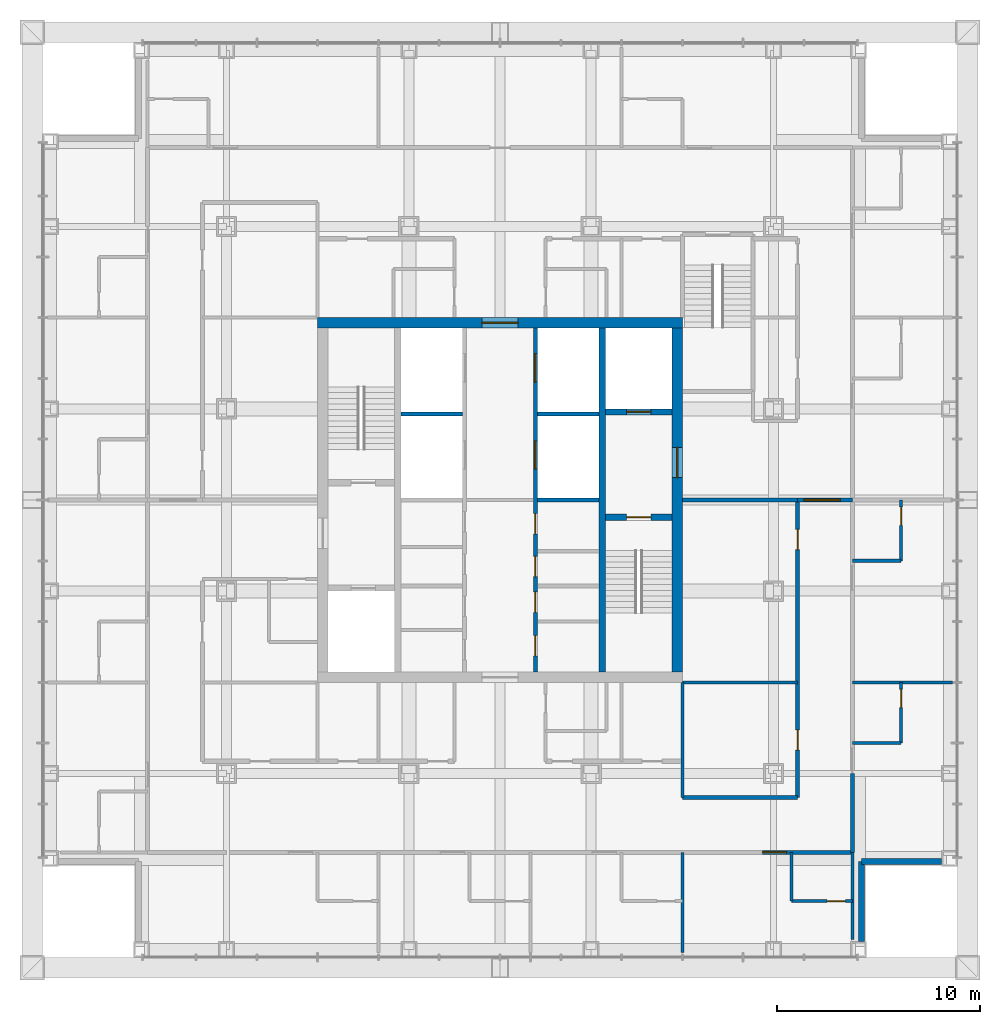
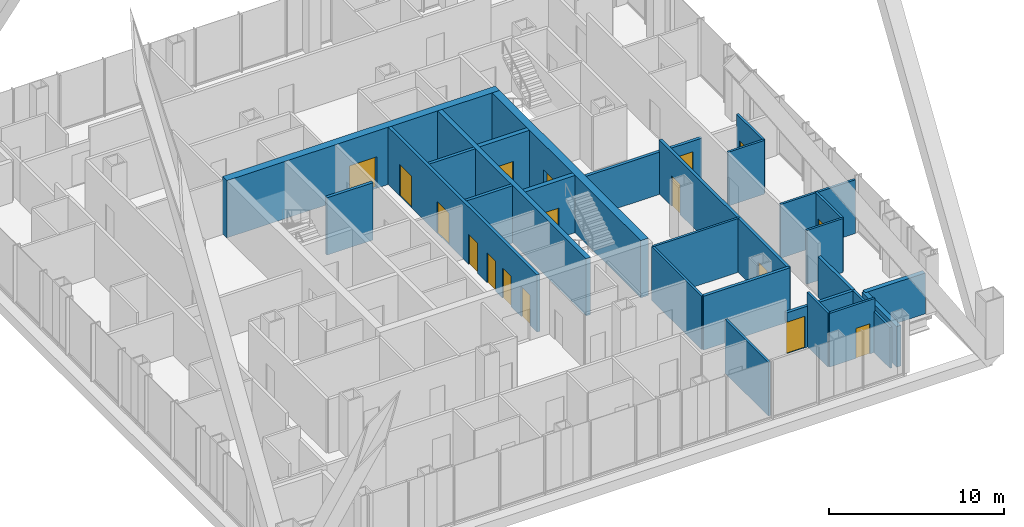
# One storey, part 13 of 16: 28 walls, 17 doors, 17 openings.
"""IFC4 building model written with IfcOpenShell, lengths in metres."""

from ifc_helpers import new_model, si_unit, direction, frame, frame_2d, origin, place, context, subcontext, project, spatial, rectangle, extrude, material, layer, layer_set, type_object, element, fill, save


model = new_model("IFC4")

# Units and contexts
model_context = context("Model", 3, precision=1e-05, world=origin(), true_north=direction((0.0, 1.0)))
body_context = subcontext(model_context, "Body", "Model", "MODEL_VIEW")
ifc_project = project(units=[si_unit("LENGTHUNIT", "METRE"), si_unit("AREAUNIT", "SQUARE_METRE"), si_unit("VOLUMEUNIT", "CUBIC_METRE"), si_unit("PLANEANGLEUNIT", "RADIAN"), si_unit("MASSUNIT", "GRAM", prefix="KILO")], contexts=[model_context])

# Site, building, storey
site_placement = place(None, origin())
site = spatial("IfcSite", under=ifc_project, at=site_placement, CompositionType="ELEMENT")
building_placement = place(site_placement, origin())
building = spatial("IfcBuilding", under=site, at=building_placement, Name="Malebo Sky Hospital", CompositionType="ELEMENT")
storey_placement = place(building_placement, frame((0.0, 0.0, 209.0)))
storey = spatial("IfcBuildingStorey", under=building, at=storey_placement, Name="L50", CompositionType="ELEMENT", Elevation=209.0)

# Wall, openings, doors
ifc_material_1 = material(Name="Concrete C80/95", Category="concrete")
ifc_layer_1 = layer(ifc_material_1, 0.199951171875)
ifc_layer_set_1 = layer_set([ifc_layer_1], Name="CORE INNER WALL 200")
wall_type_1 = type_object("IfcWallType", Name="CORE INNER WALL 200", PredefinedType="SHEAR", material=ifc_layer_set_1)
wall_1_placement = place(storey_placement, frame((61.75, 53.5, 0.0), z_axis=(0.0, 0.0, 1.0), x_axis=(0.0, 1.0, 0.0)))
wall_1 = element("IfcWall", 1, at=wall_1_placement, inside=storey, type_object=wall_type_1, Name="Core wall LE L50", PredefinedType="SHEAR", context=body_context, shape_type="SweptSolid", body=[
    extrude(rectangle(XDim=17.0, YDim=0.199951171875, at=frame_2d((8.5, 0.0))), origin(), (0.0, 0.0, 1.0), 4.0),
])
opening_1_placement = place(wall_1_placement, frame((0.8076171875, 0.0, 0.0)))
opening_1 = element("IfcOpeningElement", 2, at=opening_1_placement, cuts=wall_1, Name="Opening D17", PredefinedType="OPENING", context=body_context, shape_type="SweptSolid", body=[
    extrude(rectangle(XDim=1.0, YDim=2.10009765625, at=frame_2d((0.5, 1.050048828125))), frame((0.0, 0.10986328125, 0.0), z_axis=(0.0, -1.0, 0.0), x_axis=(1.0, 0.0, 0.0)), (0.0, 0.0, 1.0), 0.219970703125),
])
opening_2_placement = place(wall_1_placement, frame((2.95751953125, 0.0, 0.0)))
opening_2 = element("IfcOpeningElement", 3, at=opening_2_placement, cuts=wall_1, Name="Opening D17", PredefinedType="OPENING", context=body_context, shape_type="SweptSolid", body=[
    extrude(rectangle(XDim=1.0, YDim=2.10009765625, at=frame_2d((0.5, 1.050048828125))), frame((0.0, 0.10986328125, 0.0), z_axis=(0.0, -1.0, 0.0), x_axis=(1.0, 0.0, 0.0)), (0.0, 0.0, 1.0), 0.219970703125),
])
opening_3_placement = place(wall_1_placement, frame((4.722412109375, 0.0, 0.0)))
opening_3 = element("IfcOpeningElement", 4, at=opening_3_placement, cuts=wall_1, Name="Opening D17", PredefinedType="OPENING", context=body_context, shape_type="SweptSolid", body=[
    extrude(rectangle(XDim=1.0, YDim=2.10009765625, at=frame_2d((0.5, 1.050048828125))), frame((0.0, 0.10986328125, 0.0), z_axis=(0.0, -1.0, 0.0), x_axis=(1.0, 0.0, 0.0)), (0.0, 0.0, 1.0), 0.219970703125),
])
opening_4_placement = place(wall_1_placement, frame((6.822509765625, 0.0, 0.0)))
opening_4 = element("IfcOpeningElement", 5, at=opening_4_placement, cuts=wall_1, Name="Opening D17", PredefinedType="OPENING", context=body_context, shape_type="SweptSolid", body=[
    extrude(rectangle(XDim=1.0, YDim=2.10009765625, at=frame_2d((0.5, 1.050048828125))), frame((0.0, 0.10986328125, 0.0), z_axis=(0.0, -1.0, 0.0), x_axis=(1.0, 0.0, 0.0)), (0.0, 0.0, 1.0), 0.219970703125),
])
opening_5_placement = place(wall_1_placement, frame((10.02490234375, 0.0, 0.0)))
opening_5 = element("IfcOpeningElement", 6, at=opening_5_placement, cuts=wall_1, Name="Opening LD1", PredefinedType="OPENING", context=body_context, shape_type="SweptSolid", body=[
    extrude(rectangle(XDim=1.39990234375, YDim=2.199951171875, at=frame_2d((0.699951171875, 1.10009765625))), frame((0.0, 0.10986328125, 0.0), z_axis=(0.0, -1.0, 0.0), x_axis=(1.0, 0.0, 0.0)), (0.0, 0.0, 1.0), 0.219970703125),
])
opening_6_placement = place(wall_1_placement, frame((14.324951171875, 0.0, 0.0)))
opening_6 = element("IfcOpeningElement", 7, at=opening_6_placement, cuts=wall_1, Name="Opening LD1", PredefinedType="OPENING", context=body_context, shape_type="SweptSolid", body=[
    extrude(rectangle(XDim=1.39990234375, YDim=2.199951171875, at=frame_2d((0.699951171875, 1.10009765625))), frame((0.0, 0.10986328125, 0.0), z_axis=(0.0, -1.0, 0.0), x_axis=(1.0, 0.0, 0.0)), (0.0, 0.0, 1.0), 0.219970703125),
])
ifc_material_2 = material(Name="Hardwood-faced door leaf in steel frame", Category="steel")
door_type_1 = type_object("IfcDoorType", Name="FIRE DOOR 1000", OperationType="SINGLE_SWING_LEFT", PredefinedType="DOOR", material=ifc_material_2)
door_1_placement = place(opening_1_placement, origin())
door_1 = element("IfcDoor", 8, at=door_1_placement, inside=storey, type_object=door_type_1, Name="Cleaning equipment store door", OperationType="SINGLE_SWING_RIGHT", OverallHeight=2.10009765625, OverallWidth=1.0, PredefinedType="DOOR", context=body_context, shape_type="SweptSolid", body=[
    extrude(rectangle(XDim=1.0, YDim=2.10009765625, at=frame_2d((0.5, 1.050048828125))), frame((0.0, 0.02490234375, 0.0), z_axis=(0.0, -1.0, 0.0), x_axis=(1.0, 0.0, 0.0)), (0.0, 0.0, 1.0), 0.050048828125),
])
fill(opening_1, door_1)
door_2_placement = place(opening_2_placement, origin())
door_2 = element("IfcDoor", 9, at=door_2_placement, inside=storey, type_object=door_type_1, Name="Archive store door", OperationType="SINGLE_SWING_RIGHT", OverallHeight=2.10009765625, OverallWidth=1.0, PredefinedType="DOOR", context=body_context, shape_type="SweptSolid", body=[
    extrude(rectangle(XDim=1.0, YDim=2.10009765625, at=frame_2d((0.5, 1.050048828125))), frame((0.0, 0.02490234375, 0.0), z_axis=(0.0, -1.0, 0.0), x_axis=(1.0, 0.0, 0.0)), (0.0, 0.0, 1.0), 0.050048828125),
])
fill(opening_2, door_2)
door_3_placement = place(opening_3_placement, origin())
door_3 = element("IfcDoor", 10, at=door_3_placement, inside=storey, type_object=door_type_1, Name="General store door", OperationType="SINGLE_SWING_RIGHT", OverallHeight=2.10009765625, OverallWidth=1.0, PredefinedType="DOOR", context=body_context, shape_type="SweptSolid", body=[
    extrude(rectangle(XDim=1.0, YDim=2.10009765625, at=frame_2d((0.5, 1.050048828125))), frame((0.0, 0.02490234375, 0.0), z_axis=(0.0, -1.0, 0.0), x_axis=(1.0, 0.0, 0.0)), (0.0, 0.0, 1.0), 0.050048828125),
])
fill(opening_3, door_3)
door_4_placement = place(opening_4_placement, origin())
door_4 = element("IfcDoor", 11, at=door_4_placement, inside=storey, type_object=door_type_1, Name="Records store door", OperationType="SINGLE_SWING_RIGHT", OverallHeight=2.10009765625, OverallWidth=1.0, PredefinedType="DOOR", context=body_context, shape_type="SweptSolid", body=[
    extrude(rectangle(XDim=1.0, YDim=2.10009765625, at=frame_2d((0.5, 1.050048828125))), frame((0.0, 0.02490234375, 0.0), z_axis=(0.0, -1.0, 0.0), x_axis=(1.0, 0.0, 0.0)), (0.0, 0.0, 1.0), 0.050048828125),
])
fill(opening_4, door_4)
ifc_material_3 = material(Name="Stainless steel sliding landing door", Category="steel")
door_type_2 = type_object("IfcDoorType", Name="LIFT LANDING DOOR 1400", OperationType="SLIDING_TO_LEFT", PredefinedType="DOOR", material=ifc_material_3)
door_5_placement = place(opening_5_placement, origin())
door_5 = element("IfcDoor", 12, at=door_5_placement, inside=storey, type_object=door_type_2, Name="Lift E3 landing door", OperationType="SLIDING_TO_LEFT", OverallHeight=2.199951171875, OverallWidth=1.39990234375, PredefinedType="DOOR", context=body_context, shape_type="SweptSolid", body=[
    extrude(rectangle(XDim=1.39990234375, YDim=2.199951171875, at=frame_2d((0.699951171875, 1.10009765625))), frame((0.0, 0.02490234375, 0.0), z_axis=(0.0, -1.0, 0.0), x_axis=(1.0, 0.0, 0.0)), (0.0, 0.0, 1.0), 0.050048828125),
])
fill(opening_5, door_5)
door_6_placement = place(opening_6_placement, origin())
door_6 = element("IfcDoor", 13, at=door_6_placement, inside=storey, type_object=door_type_2, Name="Lift E4 landing door", OperationType="SLIDING_TO_LEFT", OverallHeight=2.199951171875, OverallWidth=1.39990234375, PredefinedType="DOOR", context=body_context, shape_type="SweptSolid", body=[
    extrude(rectangle(XDim=1.39990234375, YDim=2.199951171875, at=frame_2d((0.699951171875, 1.10009765625))), frame((0.0, 0.02490234375, 0.0), z_axis=(0.0, -1.0, 0.0), x_axis=(1.0, 0.0, 0.0)), (0.0, 0.0, 1.0), 0.050048828125),
])
fill(opening_6, door_6)

# Walls
for number, where, z_axis, x_axis, name in (
    (14, (61.85009765625, 62.0, 0.0), (0.0, 0.0, 1.0), (1.0, 0.0, 0.0), "Core wall SE1 L50"),
    (15, (55.10009765625, 66.25, 0.0), (0.0, 0.0, 1.0), (1.0, 0.0, 0.0), "Core wall SW2 L50"),
    (16, (61.85009765625, 66.25, 0.0), (0.0, 0.0, 1.0), (1.0, 0.0, 0.0), "Core wall SE2 L50"),
):
    element("IfcWall", number, at=place(storey_placement, frame(where, z_axis=z_axis, x_axis=x_axis)), inside=storey, type_object=wall_type_1, Name=name, PredefinedType="SHEAR", context=body_context, shape_type="SweptSolid", body=[
        extrude(rectangle(XDim=3.0498046875, YDim=0.199951171875, at=frame_2d((1.52490234375, 0.0))), origin(), (0.0, 0.0, 1.0), 4.0),
    ])
ifc_layer_2 = layer(ifc_material_1, 0.300048828125)
ifc_layer_set_2 = layer_set([ifc_layer_2], Name="CORE INNER WALL 300")
wall_type_2 = type_object("IfcWallType", Name="CORE INNER WALL 300", PredefinedType="SHEAR", material=ifc_layer_set_2)
wall_2_placement = place(storey_placement, frame((65.050048828125, 53.5, 0.0), z_axis=(0.0, 0.0, 1.0), x_axis=(0.0, 1.0, 0.0)))
element("IfcWall", 17, at=wall_2_placement, inside=storey, type_object=wall_type_2, Name="Core wall XE L50", PredefinedType="SHEAR", context=body_context, shape_type="SweptSolid", body=[
    extrude(rectangle(XDim=17.0, YDim=0.300048828125, at=frame_2d((8.5, 0.0))), origin(), (0.0, 0.0, 1.0), 4.0),
])

# Wall, opening, door
wall_3_placement = place(storey_placement, frame((65.199951171875, 61.14990234375, 0.0), z_axis=(0.0, 0.0, 1.0), x_axis=(1.0, 0.0, 0.0)))
wall_3 = element("IfcWall", 18, at=wall_3_placement, inside=storey, type_object=wall_type_2, Name="Core wall E1 L50", PredefinedType="SHEAR", context=body_context, shape_type="SweptSolid", body=[
    extrude(rectangle(XDim=3.300048828125, YDim=0.300048828125, at=frame_2d((1.64990234375, 0.0))), origin(), (0.0, 0.0, 1.0), 4.0),
])
opening_7_placement = place(wall_3_placement, frame((1.050048828125, 0.0, 0.0)))
opening_7 = element("IfcOpeningElement", 19, at=opening_7_placement, cuts=wall_3, Name="Opening D08", PredefinedType="OPENING", context=body_context, shape_type="SweptSolid", body=[
    extrude(rectangle(XDim=1.199951171875, YDim=2.10009765625, at=frame_2d((0.60009765625, 1.050048828125))), frame((0.0, 0.159912109375, 0.0), z_axis=(0.0, -1.0, 0.0), x_axis=(1.0, 0.0, 0.0)), (0.0, 0.0, 1.0), 0.320068359375),
])
door_type_3 = type_object("IfcDoorType", Name="STAIR DOOR 1200", OperationType="SINGLE_SWING_LEFT", PredefinedType="DOOR", material=ifc_material_2)
door_7_placement = place(opening_7_placement, origin())
door_7 = element("IfcDoor", 20, at=door_7_placement, inside=storey, type_object=door_type_3, Name="Stair S2 door", OperationType="SINGLE_SWING_LEFT", OverallHeight=2.10009765625, OverallWidth=1.199951171875, PredefinedType="DOOR", context=body_context, shape_type="SweptSolid", body=[
    extrude(rectangle(XDim=1.199951171875, YDim=2.10009765625, at=frame_2d((0.60009765625, 1.050048828125))), frame((0.0, 0.02490234375, 0.0), z_axis=(0.0, -1.0, 0.0), x_axis=(1.0, 0.0, 0.0)), (0.0, 0.0, 1.0), 0.050048828125),
])
fill(opening_7, door_7)

wall_4_placement = place(storey_placement, frame((65.199951171875, 66.35009765625, 0.0), z_axis=(0.0, 0.0, 1.0), x_axis=(1.0, 0.0, 0.0)))
wall_4 = element("IfcWall", 21, at=wall_4_placement, inside=storey, type_object=wall_type_2, Name="Core wall E2 L50", PredefinedType="SHEAR", context=body_context, shape_type="SweptSolid", body=[
    extrude(rectangle(XDim=3.300048828125, YDim=0.300048828125, at=frame_2d((1.64990234375, 0.0))), origin(), (0.0, 0.0, 1.0), 4.0),
])
opening_8_placement = place(wall_4_placement, frame((1.050048828125, 0.0, 0.0)))
opening_8 = element("IfcOpeningElement", 22, at=opening_8_placement, cuts=wall_4, Name="Opening LD2", PredefinedType="OPENING", context=body_context, shape_type="SweptSolid", body=[
    extrude(rectangle(XDim=1.199951171875, YDim=2.199951171875, at=frame_2d((0.60009765625, 1.10009765625))), frame((0.0, 0.159912109375, 0.0), z_axis=(0.0, -1.0, 0.0), x_axis=(1.0, 0.0, 0.0)), (0.0, 0.0, 1.0), 0.320068359375),
])
door_type_4 = type_object("IfcDoorType", Name="FIRE-FIGHTING LIFT LANDING DOOR 1200", OperationType="SLIDING_TO_LEFT", PredefinedType="DOOR", material=ifc_material_3)
door_8_placement = place(opening_8_placement, origin())
door_8 = element("IfcDoor", 23, at=door_8_placement, inside=storey, type_object=door_type_4, Name="Lift FL2 landing door", OperationType="SLIDING_TO_LEFT", OverallHeight=2.199951171875, OverallWidth=1.199951171875, PredefinedType="DOOR", context=body_context, shape_type="SweptSolid", body=[
    extrude(rectangle(XDim=1.199951171875, YDim=2.199951171875, at=frame_2d((0.60009765625, 1.10009765625))), frame((0.0, 0.02490234375, 0.0), z_axis=(0.0, -1.0, 0.0), x_axis=(1.0, 0.0, 0.0)), (0.0, 0.0, 1.0), 0.050048828125),
])
fill(opening_8, door_8)

ifc_layer_3 = layer(ifc_material_1, 0.5)
ifc_layer_set_3 = layer_set([ifc_layer_3], Name="CORE WALL 500")
wall_type_3 = type_object("IfcWallType", Name="CORE WALL 500", PredefinedType="SHEAR", material=ifc_layer_set_3)
wall_5_placement = place(storey_placement, frame((51.0, 70.75, 0.0), z_axis=(0.0, 0.0, 1.0), x_axis=(1.0, 0.0, 0.0)))
wall_5 = element("IfcWall", 24, at=wall_5_placement, inside=storey, type_object=wall_type_3, Name="Core wall N L50", PredefinedType="SHEAR", context=body_context, shape_type="SweptSolid", body=[
    extrude(rectangle(XDim=18.0, YDim=0.5, at=frame_2d((9.0, 0.0))), origin(), (0.0, 0.0, 1.0), 4.0),
])
opening_9_placement = place(wall_5_placement, frame((8.10009765625, 0.0, 0.0)))
opening_9 = element("IfcOpeningElement", 25, at=opening_9_placement, cuts=wall_5, Name="Opening D06", PredefinedType="OPENING", context=body_context, shape_type="SweptSolid", body=[
    extrude(rectangle(XDim=1.800048828125, YDim=2.199951171875, at=frame_2d((0.89990234375, 1.10009765625))), frame((0.0, 0.260009765625, 0.0), z_axis=(0.0, -1.0, 0.0), x_axis=(1.0, 0.0, 0.0)), (0.0, 0.0, 1.0), 0.52001953125),
])
door_type_5 = type_object("IfcDoorType", Name="LOBBY DOOR PAIR 1800", OperationType="DOUBLE_DOOR_SINGLE_SWING", PredefinedType="DOOR", material=ifc_material_2)
door_9_placement = place(opening_9_placement, origin())
door_9 = element("IfcDoor", 26, at=door_9_placement, inside=storey, type_object=door_type_5, Name="Lift lobby door north", OperationType="DOUBLE_DOOR_SINGLE_SWING", OverallHeight=2.199951171875, OverallWidth=1.800048828125, PredefinedType="DOOR", context=body_context, shape_type="SweptSolid", body=[
    extrude(rectangle(XDim=1.800048828125, YDim=2.199951171875, at=frame_2d((0.89990234375, 1.10009765625))), frame((0.0, 0.02490234375, 0.0), z_axis=(0.0, -1.0, 0.0), x_axis=(1.0, 0.0, 0.0)), (0.0, 0.0, 1.0), 0.050048828125),
])
fill(opening_9, door_9)

wall_6_placement = place(storey_placement, frame((68.75, 53.5, 0.0), z_axis=(0.0, 0.0, 1.0), x_axis=(0.0, 1.0, 0.0)))
wall_6 = element("IfcWall", 27, at=wall_6_placement, inside=storey, type_object=wall_type_3, Name="Core wall E L50", PredefinedType="SHEAR", context=body_context, shape_type="SweptSolid", body=[
    extrude(rectangle(XDim=17.0, YDim=0.5, at=frame_2d((8.5, 0.0))), origin(), (0.0, 0.0, 1.0), 4.0),
])
opening_10_placement = place(wall_6_placement, frame((9.60009765625, 0.0, 0.0)))
opening_10 = element("IfcOpeningElement", 28, at=opening_10_placement, cuts=wall_6, Name="Opening D07", PredefinedType="OPENING", context=body_context, shape_type="SweptSolid", body=[
    extrude(rectangle(XDim=1.5, YDim=2.199951171875, at=frame_2d((0.75, 1.10009765625))), frame((0.0, 0.260009765625, 0.0), z_axis=(0.0, -1.0, 0.0), x_axis=(1.0, 0.0, 0.0)), (0.0, 0.0, 1.0), 0.52001953125),
])
door_type_6 = type_object("IfcDoorType", Name="FIRE-FIGHTING LOBBY DOOR PAIR 1500", OperationType="DOUBLE_DOOR_SINGLE_SWING", PredefinedType="DOOR", material=ifc_material_2)
door_10_placement = place(opening_10_placement, origin())
door_10 = element("IfcDoor", 29, at=door_10_placement, inside=storey, type_object=door_type_6, Name="Fire-fighting lobby door east", OperationType="DOUBLE_DOOR_SINGLE_SWING", OverallHeight=2.199951171875, OverallWidth=1.5, PredefinedType="DOOR", context=body_context, shape_type="SweptSolid", body=[
    extrude(rectangle(XDim=1.5, YDim=2.199951171875, at=frame_2d((0.75, 1.10009765625))), frame((0.0, 0.02490234375, 0.0), z_axis=(0.0, -1.0, 0.0), x_axis=(1.0, 0.0, 0.0)), (0.0, 0.0, 1.0), 0.050048828125),
])
fill(opening_10, door_10)

ifc_material_4 = material(Name="Gypsum board on steel studs", Category="steel")
ifc_layer_4 = layer(ifc_material_4, 0.199951171875)
ifc_layer_set_4 = layer_set([ifc_layer_4], Name="CORRIDOR WALL 200")
wall_type_4 = type_object("IfcWallType", Name="CORRIDOR WALL 200", PredefinedType="PARTITIONING", material=ifc_layer_set_4)
wall_7_placement = place(storey_placement, frame((77.39990234375, 44.60009765625, 0.0), z_axis=(0.0, 0.0, 1.0), x_axis=(-1.0, 0.0, 0.0)))
wall_7 = element("IfcWall", 30, at=wall_7_placement, inside=storey, type_object=wall_type_4, Name="Corridor Wall 200 SCO", PredefinedType="PARTITIONING", context=body_context, shape_type="SweptSolid", body=[
    extrude(rectangle(XDim=4.449951171875, YDim=0.199951171875, at=frame_2d((2.22509765625, 0.0))), origin(), (0.0, 0.0, 1.0), 2.85009765625),
])
opening_11_placement = place(wall_7_placement, frame((3.25, 0.0, 0.0)))
opening_11 = element("IfcOpeningElement", 31, at=opening_11_placement, cuts=wall_7, Name="Opening D01", PredefinedType="OPENING", context=body_context, shape_type="SweptSolid", body=[
    extrude(rectangle(XDim=1.199951171875, YDim=2.199951171875, at=frame_2d((0.60009765625, 1.10009765625))), frame((0.0, 0.10986328125, 0.0), z_axis=(0.0, -1.0, 0.0), x_axis=(1.0, 0.0, 0.0)), (0.0, 0.0, 1.0), 0.219970703125),
])
door_type_7 = type_object("IfcDoorType", Name="BED DOOR 1200", OperationType="SINGLE_SWING_LEFT", PredefinedType="DOOR", material=ifc_material_2)
door_11_placement = place(opening_11_placement, origin())
door_11 = element("IfcDoor", 32, at=door_11_placement, inside=storey, type_object=door_type_7, Name="Birthing room door", OperationType="SINGLE_SWING_LEFT", OverallHeight=2.199951171875, OverallWidth=1.199951171875, PredefinedType="DOOR", context=body_context, shape_type="SweptSolid", body=[
    extrude(rectangle(XDim=1.199951171875, YDim=2.199951171875, at=frame_2d((0.60009765625, 1.10009765625))), frame((0.0, 0.02490234375, 0.0), z_axis=(0.0, -1.0, 0.0), x_axis=(1.0, 0.0, 0.0)), (0.0, 0.0, 1.0), 0.050048828125),
])
fill(opening_11, door_11)

# Walls
wall_8_placement = place(storey_placement, frame((74.699951171875, 47.300048828125, 0.0), z_axis=(0.0, 0.0, 1.0), x_axis=(-1.0, 0.0, 0.0)))
element("IfcWall", 33, at=wall_8_placement, inside=storey, type_object=wall_type_4, Name="Corridor Wall 200 SCIK", PredefinedType="PARTITIONING", context=body_context, shape_type="SweptSolid", body=[
    extrude(rectangle(XDim=5.699951171875, YDim=0.199951171875, at=frame_2d((2.85009765625, 0.0))), origin(), (0.0, 0.0, 1.0), 3.75),
])
wall_9_placement = place(storey_placement, frame((77.39990234375, 48.5, 0.0), z_axis=(0.0, 0.0, 1.0), x_axis=(0.0, -1.0, 0.0)))
element("IfcWall", 34, at=wall_9_placement, inside=storey, type_object=wall_type_4, Name="Corridor Wall 200 ECO", PredefinedType="PARTITIONING", context=body_context, shape_type="SweptSolid", body=[
    extrude(rectangle(XDim=3.89990234375, YDim=0.199951171875, at=frame_2d((1.949951171875, 0.0))), origin(), (0.0, 0.0, 1.0), 2.85009765625),
])

# Wall, openings, doors
wall_10_placement = place(storey_placement, frame((74.699951171875, 62.0, 0.0), z_axis=(0.0, 0.0, 1.0), x_axis=(0.0, -1.0, 0.0)))
wall_10 = element("IfcWall", 35, at=wall_10_placement, inside=storey, type_object=wall_type_4, Name="Corridor Wall 200 ECI2", PredefinedType="PARTITIONING", context=body_context, shape_type="SweptSolid", body=[
    extrude(rectangle(XDim=14.699951171875, YDim=0.199951171875, at=frame_2d((7.35009765625, 0.0))), origin(), (0.0, 0.0, 1.0), 3.75),
])
opening_12_placement = place(wall_10_placement, frame((1.449951171875, 0.0, 0.0)))
opening_12 = element("IfcOpeningElement", 36, at=opening_12_placement, cuts=wall_10, Name="Opening D03", PredefinedType="OPENING", context=body_context, shape_type="SweptSolid", body=[
    extrude(rectangle(XDim=1.0, YDim=2.10009765625, at=frame_2d((0.5, 1.050048828125))), frame((0.0, 0.10986328125, 0.0), z_axis=(0.0, -1.0, 0.0), x_axis=(1.0, 0.0, 0.0)), (0.0, 0.0, 1.0), 0.219970703125),
])
opening_13_placement = place(wall_10_placement, frame((11.35009765625, 0.0, 0.0)))
opening_13 = element("IfcOpeningElement", 37, at=opening_13_placement, cuts=wall_10, Name="Opening D03", PredefinedType="OPENING", context=body_context, shape_type="SweptSolid", body=[
    extrude(rectangle(XDim=1.0, YDim=2.10009765625, at=frame_2d((0.5, 1.050048828125))), frame((0.0, 0.10986328125, 0.0), z_axis=(0.0, -1.0, 0.0), x_axis=(1.0, 0.0, 0.0)), (0.0, 0.0, 1.0), 0.219970703125),
])
door_type_8 = type_object("IfcDoorType", Name="ROOM DOOR 1000", OperationType="SINGLE_SWING_LEFT", PredefinedType="DOOR", material=ifc_material_2)
door_12_placement = place(opening_12_placement, origin())
door_12 = element("IfcDoor", 38, at=door_12_placement, inside=storey, type_object=door_type_8, Name="Staff rest room door", OperationType="SINGLE_SWING_LEFT", OverallHeight=2.10009765625, OverallWidth=1.0, PredefinedType="DOOR", context=body_context, shape_type="SweptSolid", body=[
    extrude(rectangle(XDim=1.0, YDim=2.10009765625, at=frame_2d((0.5, 1.050048828125))), frame((0.0, 0.02490234375, 0.0), z_axis=(0.0, -1.0, 0.0), x_axis=(1.0, 0.0, 0.0)), (0.0, 0.0, 1.0), 0.050048828125),
])
fill(opening_12, door_12)
door_13_placement = place(opening_13_placement, origin())
door_13 = element("IfcDoor", 39, at=door_13_placement, inside=storey, type_object=door_type_8, Name="Staff base door", OperationType="SINGLE_SWING_RIGHT", OverallHeight=2.10009765625, OverallWidth=1.0, PredefinedType="DOOR", context=body_context, shape_type="SweptSolid", body=[
    extrude(rectangle(XDim=1.0, YDim=2.10009765625, at=frame_2d((0.5, 1.050048828125))), frame((0.0, 0.02490234375, 0.0), z_axis=(0.0, -1.0, 0.0), x_axis=(1.0, 0.0, 0.0)), (0.0, 0.0, 1.0), 0.050048828125),
])
fill(opening_13, door_13)

# Walls
ifc_material_5 = material(Name="Anodised aluminium rainscreen on steel framing", Category="steel")
ifc_layer_5 = layer(ifc_material_5, 0.300048828125)
ifc_layer_set_5 = layer_set([ifc_layer_5], Name="NOTCH RAINSCREEN WALL 300")
wall_type_5 = type_object("IfcWallType", Name="NOTCH RAINSCREEN WALL 300", PredefinedType="ELEMENTEDWALL", material=ifc_layer_set_5)
for number, where, z_axis, x_axis, name in (
    (40, (81.800048828125, 44.14990234375, 0.0), (0.0, 0.0, 1.0), (-1.0, 0.0, 0.0), "Notch rainscreen wall E1 L50"),
    (41, (77.85009765625, 44.14990234375, 0.0), (0.0, 0.0, 1.0), (0.0, -1.0, 0.0), "Notch rainscreen wall E2 L50"),
):
    element("IfcWall", number, at=place(storey_placement, frame(where, z_axis=z_axis, x_axis=x_axis)), inside=storey, type_object=wall_type_5, Name=name, PredefinedType="ELEMENTEDWALL", context=body_context, shape_type="SweptSolid", body=[
        extrude(rectangle(XDim=3.949951171875, YDim=0.300048828125, at=frame_2d((1.97509765625, 0.0))), origin(), (0.0, 0.0, 1.0), 2.85009765625),
    ])
ifc_layer_6 = layer(ifc_material_4, 0.14990234375)
ifc_layer_set_6 = layer_set([ifc_layer_6], Name="PARTITION 150")
wall_type_6 = type_object("IfcWallType", Name="PARTITION 150", PredefinedType="PARTITIONING", material=ifc_layer_set_6)
wall_11_placement = place(storey_placement, frame((69.0, 44.60009765625, 0.0), z_axis=(0.0, 0.0, 1.0), x_axis=(0.0, -1.0, 0.0)))
element("IfcWall", 42, at=wall_11_placement, inside=storey, type_object=wall_type_6, Name="Partition 150 SP-9.0", PredefinedType="PARTITIONING", context=body_context, shape_type="SweptSolid", body=[
    extrude(rectangle(XDim=4.9501953125, YDim=0.14990234375, at=frame_2d((2.47509765625, 0.0))), origin(), (0.0, 0.0, 1.0), 3.75),
])
wall_12_placement = place(storey_placement, frame((77.39990234375, 44.60009765625, 0.0), z_axis=(0.0, 0.0, 1.0), x_axis=(0.0, -1.0, 0.0)))
element("IfcWall", 43, at=wall_12_placement, inside=storey, type_object=wall_type_6, Name="Partition 150 SP0", PredefinedType="PARTITIONING", context=body_context, shape_type="SweptSolid", body=[
    extrude(rectangle(XDim=4.300048828125, YDim=0.14990234375, at=frame_2d((2.14990234375, 0.0))), origin(), (0.0, 0.0, 1.0), 2.85009765625),
])

# Wall, opening, door
wall_13_placement = place(storey_placement, frame((77.39990234375, 42.199951171875, 0.0), z_axis=(0.0, 0.0, 1.0), x_axis=(-1.0, 0.0, 0.0)))
wall_13 = element("IfcWall", 44, at=wall_13_placement, inside=storey, type_object=wall_type_6, Name="Partition 150 SE0F", PredefinedType="PARTITIONING", context=body_context, shape_type="SweptSolid", body=[
    extrude(rectangle(XDim=3.0, YDim=0.14990234375, at=frame_2d((1.5, 0.0))), origin(), (0.0, 0.0, 1.0), 3.75),
])
opening_14_placement = place(wall_13_placement, frame((0.35009765625, 0.0, 0.0)))
opening_14 = element("IfcOpeningElement", 45, at=opening_14_placement, cuts=wall_13, Name="Opening D02", PredefinedType="OPENING", context=body_context, shape_type="SweptSolid", body=[
    extrude(rectangle(XDim=0.89990234375, YDim=2.10009765625, at=frame_2d((0.449951171875, 1.050048828125))), frame((0.0, 0.0849609375, 0.0), z_axis=(0.0, -1.0, 0.0), x_axis=(1.0, 0.0, 0.0)), (0.0, 0.0, 1.0), 0.169921875),
])
door_type_9 = type_object("IfcDoorType", Name="EN-SUITE DOOR 900", OperationType="SINGLE_SWING_LEFT", PredefinedType="DOOR", material=ifc_material_2)
door_14_placement = place(opening_14_placement, origin())
door_14 = element("IfcDoor", 46, at=door_14_placement, inside=storey, type_object=door_type_9, Name="En-suite door", OperationType="SINGLE_SWING_LEFT", OverallHeight=2.10009765625, OverallWidth=0.89990234375, PredefinedType="DOOR", context=body_context, shape_type="SweptSolid", body=[
    extrude(rectangle(XDim=0.89990234375, YDim=2.10009765625, at=frame_2d((0.449951171875, 1.050048828125))), frame((0.0, 0.02490234375, 0.0), z_axis=(0.0, -1.0, 0.0), x_axis=(1.0, 0.0, 0.0)), (0.0, 0.0, 1.0), 0.050048828125),
])
fill(opening_14, door_14)

# Walls
wall_14_placement = place(storey_placement, frame((74.39990234375, 44.60009765625, 0.0), z_axis=(0.0, 0.0, 1.0), x_axis=(0.0, -1.0, 0.0)))
element("IfcWall", 47, at=wall_14_placement, inside=storey, type_object=wall_type_6, Name="Partition 150 SE0S", PredefinedType="PARTITIONING", context=body_context, shape_type="SweptSolid", body=[
    extrude(rectangle(XDim=2.400146484375, YDim=0.14990234375, at=frame_2d((1.2001953125, 0.0))), origin(), (0.0, 0.0, 1.0), 3.75),
])
wall_15_placement = place(storey_placement, frame((69.0, 53.0, 0.0), z_axis=(0.0, 0.0, 1.0), x_axis=(0.0, -1.0, 0.0)))
element("IfcWall", 48, at=wall_15_placement, inside=storey, type_object=wall_type_6, Name="Partition 150 SSP0", PredefinedType="PARTITIONING", context=body_context, shape_type="SweptSolid", body=[
    extrude(rectangle(XDim=5.699951171875, YDim=0.14990234375, at=frame_2d((2.85009765625, 0.0))), origin(), (0.0, 0.0, 1.0), 3.75),
])
wall_16_placement = place(storey_placement, frame((77.39990234375, 53.0, 0.0), z_axis=(0.0, 0.0, 1.0), x_axis=(1.0, 0.0, 0.0)))
element("IfcWall", 49, at=wall_16_placement, inside=storey, type_object=wall_type_6, Name="Partition 150 EP+9.0", PredefinedType="PARTITIONING", context=body_context, shape_type="SweptSolid", body=[
    extrude(rectangle(XDim=4.9501953125, YDim=0.14990234375, at=frame_2d((2.47509765625, 0.0))), origin(), (0.0, 0.0, 1.0), 3.75),
])

# Wall, opening, door
wall_17_placement = place(storey_placement, frame((79.800048828125, 62.0, 0.0), z_axis=(0.0, 0.0, 1.0), x_axis=(0.0, -1.0, 0.0)))
wall_17 = element("IfcWall", 50, at=wall_17_placement, inside=storey, type_object=wall_type_6, Name="Partition 150 EE2F", PredefinedType="PARTITIONING", context=body_context, shape_type="SweptSolid", body=[
    extrude(rectangle(XDim=3.0, YDim=0.14990234375, at=frame_2d((1.5, 0.0))), origin(), (0.0, 0.0, 1.0), 3.75),
])
opening_15_placement = place(wall_17_placement, frame((0.35009765625, 0.0, 0.0)))
opening_15 = element("IfcOpeningElement", 51, at=opening_15_placement, cuts=wall_17, Name="Opening D02", PredefinedType="OPENING", context=body_context, shape_type="SweptSolid", body=[
    extrude(rectangle(XDim=0.89990234375, YDim=2.10009765625, at=frame_2d((0.449951171875, 1.050048828125))), frame((0.0, 0.0849609375, 0.0), z_axis=(0.0, -1.0, 0.0), x_axis=(1.0, 0.0, 0.0)), (0.0, 0.0, 1.0), 0.169921875),
])
door_15_placement = place(opening_15_placement, origin())
door_15 = element("IfcDoor", 52, at=door_15_placement, inside=storey, type_object=door_type_9, Name="En-suite door", OperationType="SINGLE_SWING_LEFT", OverallHeight=2.10009765625, OverallWidth=0.89990234375, PredefinedType="DOOR", context=body_context, shape_type="SweptSolid", body=[
    extrude(rectangle(XDim=0.89990234375, YDim=2.10009765625, at=frame_2d((0.449951171875, 1.050048828125))), frame((0.0, 0.02490234375, 0.0), z_axis=(0.0, -1.0, 0.0), x_axis=(1.0, 0.0, 0.0)), (0.0, 0.0, 1.0), 0.050048828125),
])
fill(opening_15, door_15)

# Wall
wall_18_placement = place(storey_placement, frame((77.39990234375, 59.0, 0.0), z_axis=(0.0, 0.0, 1.0), x_axis=(1.0, 0.0, 0.0)))
element("IfcWall", 53, at=wall_18_placement, inside=storey, type_object=wall_type_6, Name="Partition 150 EE2S", PredefinedType="PARTITIONING", context=body_context, shape_type="SweptSolid", body=[
    extrude(rectangle(XDim=2.400146484375, YDim=0.14990234375, at=frame_2d((1.2001953125, 0.0))), origin(), (0.0, 0.0, 1.0), 3.75),
])

# Wall, opening, door
wall_19_placement = place(storey_placement, frame((79.800048828125, 53.0, 0.0), z_axis=(0.0, 0.0, 1.0), x_axis=(0.0, -1.0, 0.0)))
wall_19 = element("IfcWall", 54, at=wall_19_placement, inside=storey, type_object=wall_type_6, Name="Partition 150 EE3F", PredefinedType="PARTITIONING", context=body_context, shape_type="SweptSolid", body=[
    extrude(rectangle(XDim=3.0, YDim=0.14990234375, at=frame_2d((1.5, 0.0))), origin(), (0.0, 0.0, 1.0), 3.75),
])
opening_16_placement = place(wall_19_placement, frame((0.35009765625, 0.0, 0.0)))
opening_16 = element("IfcOpeningElement", 55, at=opening_16_placement, cuts=wall_19, Name="Opening D02", PredefinedType="OPENING", context=body_context, shape_type="SweptSolid", body=[
    extrude(rectangle(XDim=0.89990234375, YDim=2.10009765625, at=frame_2d((0.449951171875, 1.050048828125))), frame((0.0, 0.0849609375, 0.0), z_axis=(0.0, -1.0, 0.0), x_axis=(1.0, 0.0, 0.0)), (0.0, 0.0, 1.0), 0.169921875),
])
door_16_placement = place(opening_16_placement, origin())
door_16 = element("IfcDoor", 56, at=door_16_placement, inside=storey, type_object=door_type_9, Name="En-suite door", OperationType="SINGLE_SWING_LEFT", OverallHeight=2.10009765625, OverallWidth=0.89990234375, PredefinedType="DOOR", context=body_context, shape_type="SweptSolid", body=[
    extrude(rectangle(XDim=0.89990234375, YDim=2.10009765625, at=frame_2d((0.449951171875, 1.050048828125))), frame((0.0, 0.02490234375, 0.0), z_axis=(0.0, -1.0, 0.0), x_axis=(1.0, 0.0, 0.0)), (0.0, 0.0, 1.0), 0.050048828125),
])
fill(opening_16, door_16)

# Walls
wall_20_placement = place(storey_placement, frame((77.39990234375, 50.0, 0.0), z_axis=(0.0, 0.0, 1.0), x_axis=(1.0, 0.0, 0.0)))
element("IfcWall", 57, at=wall_20_placement, inside=storey, type_object=wall_type_6, Name="Partition 150 EE3S", PredefinedType="PARTITIONING", context=body_context, shape_type="SweptSolid", body=[
    extrude(rectangle(XDim=2.400146484375, YDim=0.14990234375, at=frame_2d((1.2001953125, 0.0))), origin(), (0.0, 0.0, 1.0), 3.75),
])
wall_21_placement = place(storey_placement, frame((69.0, 53.0, 0.0), z_axis=(0.0, 0.0, 1.0), x_axis=(1.0, 0.0, 0.0)))
element("IfcWall", 58, at=wall_21_placement, inside=storey, type_object=wall_type_6, Name="Partition 150 ESP+9.0", PredefinedType="PARTITIONING", context=body_context, shape_type="SweptSolid", body=[
    extrude(rectangle(XDim=5.699951171875, YDim=0.14990234375, at=frame_2d((2.85009765625, 0.0))), origin(), (0.0, 0.0, 1.0), 3.75),
])
ifc_material_6 = material(Name="Concrete blockwork", Category="masonry")
ifc_layer_7 = layer(ifc_material_6, 0.199951171875)
ifc_layer_set_7 = layer_set([ifc_layer_7], Name="SMOKE BARRIER WALL 200")
wall_type_7 = type_object("IfcWallType", Name="SMOKE BARRIER WALL 200", PredefinedType="SOLIDWALL", material=ifc_layer_set_7)
wall_22_placement = place(storey_placement, frame((69.0, 62.0, 0.0), z_axis=(0.0, 0.0, 1.0), x_axis=(1.0, 0.0, 0.0)))
element("IfcWall", 59, at=wall_22_placement, inside=storey, type_object=wall_type_7, Name="Smoke Barrier Wall 200 ESPB", PredefinedType="SOLIDWALL", context=body_context, shape_type="SweptSolid", body=[
    extrude(rectangle(XDim=5.699951171875, YDim=0.199951171875, at=frame_2d((2.85009765625, 0.0))), origin(), (0.0, 0.0, 1.0), 2.949951171875),
])

# Wall, opening, door
wall_23_placement = place(storey_placement, frame((74.699951171875, 62.0, 0.0), z_axis=(0.0, 0.0, 1.0), x_axis=(1.0, 0.0, 0.0)))
wall_23 = element("IfcWall", 60, at=wall_23_placement, inside=storey, type_object=wall_type_7, Name="Smoke Barrier Wall 200 ESB", PredefinedType="SOLIDWALL", context=body_context, shape_type="SweptSolid", body=[
    extrude(rectangle(XDim=2.699951171875, YDim=0.199951171875, at=frame_2d((1.35009765625, 0.0))), origin(), (0.0, 0.0, 1.0), 2.949951171875),
])
opening_17_placement = place(wall_23_placement, frame((0.300048828125, 0.0, 0.0)))
opening_17 = element("IfcOpeningElement", 61, at=opening_17_placement, cuts=wall_23, Name="Opening D05", PredefinedType="OPENING", context=body_context, shape_type="SweptSolid", body=[
    extrude(rectangle(XDim=1.800048828125, YDim=2.199951171875, at=frame_2d((0.89990234375, 1.10009765625))), frame((0.0, 0.10986328125, 0.0), z_axis=(0.0, -1.0, 0.0), x_axis=(1.0, 0.0, 0.0)), (0.0, 0.0, 1.0), 0.219970703125),
])
door_type_10 = type_object("IfcDoorType", Name="SMOKE DOOR PAIR 1800", OperationType="DOUBLE_DOOR_DOUBLE_SWING", PredefinedType="DOOR", material=ifc_material_2)
door_17_placement = place(opening_17_placement, origin())
door_17 = element("IfcDoor", 62, at=door_17_placement, inside=storey, type_object=door_type_10, Name="Smoke compartment door pair", OperationType="DOUBLE_DOOR_DOUBLE_SWING", OverallHeight=2.199951171875, OverallWidth=1.800048828125, PredefinedType="DOOR", context=body_context, shape_type="SweptSolid", body=[
    extrude(rectangle(XDim=1.800048828125, YDim=2.199951171875, at=frame_2d((0.89990234375, 1.10009765625))), frame((0.0, 0.02490234375, 0.0), z_axis=(0.0, -1.0, 0.0), x_axis=(1.0, 0.0, 0.0)), (0.0, 0.0, 1.0), 0.050048828125),
])
fill(opening_17, door_17)

save(model, "model.ifc")
